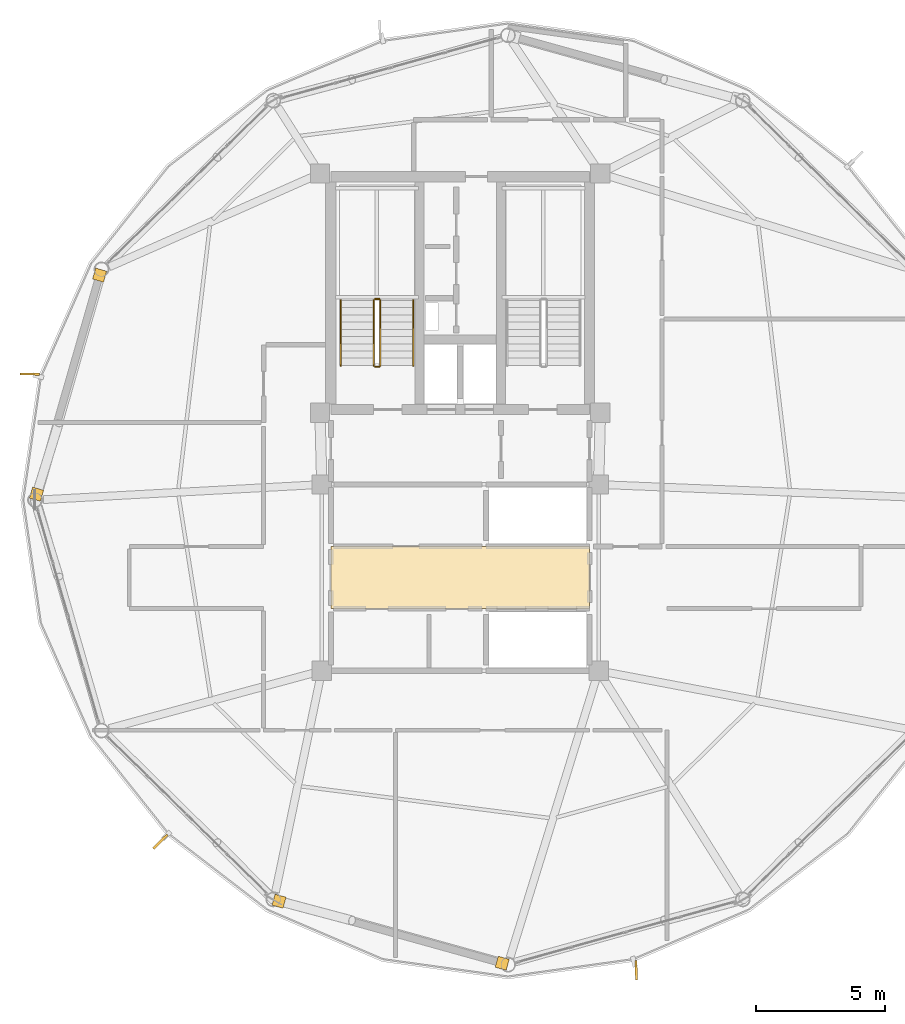
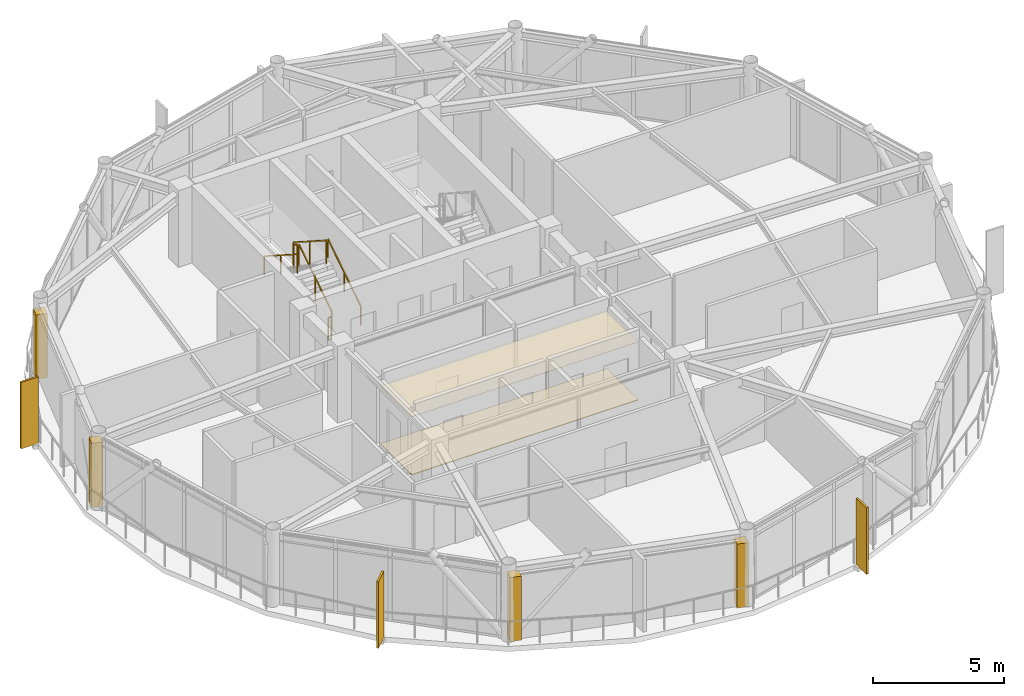
# One storey, part 23 of 25: 6 coverings, 6 railings, 3 shading devices.
"""IFC4 building model written with IfcOpenShell, lengths in metres."""

from ifc_helpers import new_model, si_unit, direction, frame, origin, origin_2d, place, context, subcontext, project, spatial, polyline, rectangle, outline, extrude, source, transform, mapped, material, layer, layer_set, type_object, type_shapes, element, save


model = new_model("IFC4")

# Units and contexts
model_context = context("Model", 3, precision=1e-05, world=origin(), true_north=direction((0.0, 1.0)))
body_context = subcontext(model_context, "Body", "Model", "MODEL_VIEW")
ifc_project = project(units=[si_unit("LENGTHUNIT", "METRE"), si_unit("AREAUNIT", "SQUARE_METRE"), si_unit("VOLUMEUNIT", "CUBIC_METRE"), si_unit("PLANEANGLEUNIT", "RADIAN"), si_unit("MASSUNIT", "GRAM", prefix="KILO")], contexts=[model_context])

# Site, building, storey
site_placement = place(None, origin())
site = spatial("IfcSite", under=ifc_project, at=site_placement, CompositionType="ELEMENT")
building_placement = place(site_placement, origin())
building = spatial("IfcBuilding", under=site, at=building_placement, Name="Varnakorn Sky Granary", CompositionType="ELEMENT")
storey_placement = place(building_placement, frame((0.0, 0.0, 259.800048828125)))
storey = spatial("IfcBuildingStorey", under=building, at=storey_placement, Name="L66", CompositionType="ELEMENT", Elevation=259.800048828125)

# Coverings
ifc_material_1 = material(Name="Perforated Acoustic Mineral-Fibre Ceiling", Category="gypsum")
ifc_layer_1 = layer(ifc_material_1, 0.02001953125, Name="Perforated Acoustic Mineral-Fibre Ceiling")
ifc_layer_set_1 = layer_set([ifc_layer_1], Name="Perforated Acoustic Mineral-Fibre Ceiling")
covering_type_1 = type_object("IfcCoveringType", Name="CV-CEIL-20", PredefinedType="CEILING", material=ifc_layer_set_1)
covering_1_placement = place(storey_placement, frame((0.0, 0.0, 2.7099609375)))
element("IfcCovering", 1, at=covering_1_placement, inside=storey, type_object=covering_type_1, Name="Lift Lobby Perforated Acoustic Ceiling L66", PredefinedType="CEILING", context=body_context, shape_type="SweptSolid", body=[
    extrude(outline(polyline([(-2.0, -4.199951171875), (8.0, -4.199951171875), (8.0, -1.800048828125), (-2.0, -1.800048828125), (-2.0, -4.199951171875)])), origin(), (0.0, 0.0, 1.0), 0.02001953125),
])
ifc_material_2 = material(Name="Honed Epoxy Terrazzo Topping", Category="concrete")
ifc_layer_2 = layer(ifc_material_2, 0.030029296875, Name="Honed Epoxy Terrazzo Topping")
ifc_layer_set_2 = layer_set([ifc_layer_2], Name="Honed Epoxy Terrazzo Topping")
covering_type_2 = type_object("IfcCoveringType", Name="CV-FLOR-30", PredefinedType="FLOORING", material=ifc_layer_set_2)
covering_2_placement = place(storey_placement, origin())
element("IfcCovering", 2, at=covering_2_placement, inside=storey, type_object=covering_type_2, Name="Lift Lobby Terrazzo Floor Finish L66", PredefinedType="FLOORING", context=body_context, shape_type="SweptSolid", body=[
    extrude(outline(polyline([(-2.0, -4.199951171875), (8.0, -4.199951171875), (8.0, -1.800048828125), (-2.0, -1.800048828125), (-2.0, -4.199951171875)])), origin(), (0.0, 0.0, 1.0), 0.030029296875),
])

# Railings
ifc_material_3 = material(Name="Brushed Stainless Steel 316", Category="steel")
railing_type_1 = type_object("IfcRailingType", Name="RL-STAIR-1100", PredefinedType="GUARDRAIL", material=ifc_material_3)
railing_1_placement = place(storey_placement, frame((-0.090087890625, 5.199951171875, 0.179931640625)))
element("IfcRailing", 3, at=railing_1_placement, inside=storey, type_object=railing_type_1, Name="L66 ST-1 stair guard 1", PredefinedType="GUARDRAIL", context=body_context, shape_type="SweptSolid", body=[
    extrude(rectangle(XDim=0.048095703125, YDim=0.048095703125, at=origin_2d()), frame((0.0, 0.0, 1.076171875), z_axis=(0.0, 0.841162588446, 0.540782303519), x_axis=(-1.0, 0.0, 0.0)), (0.0, 0.0, 1.0), 2.995849609375),
    extrude(rectangle(XDim=0.0419921875, YDim=0.0419921875, at=origin_2d()), origin(), (0.0, 0.0, 1.0), 1.048095703125),
    extrude(rectangle(XDim=0.0419921875, YDim=0.0419921875, at=origin_2d()), frame((0.0, 1.260009765625, 0.81005859375)), (0.0, 0.0, 1.0), 1.048095703125),
    extrude(rectangle(XDim=0.0419921875, YDim=0.0419921875, at=origin_2d()), frame((0.0, 2.52001953125, 1.6201171875)), (0.0, 0.0, 1.0), 1.048095703125),
])
railing_2_placement = place(storey_placement, frame((-0.139892578125, 7.77001953125, 1.800048828125)))
element("IfcRailing", 4, at=railing_2_placement, inside=storey, type_object=railing_type_1, Name="L66 ST-1 stair guard 2", PredefinedType="GUARDRAIL", context=body_context, shape_type="SweptSolid", body=[
    extrude(rectangle(XDim=0.048095703125, YDim=0.048095703125, at=origin_2d()), frame((0.0, 0.0, 1.076171875), z_axis=(-1.0, 0.0, 0.0), x_axis=(0.0, -1.0, 0.0)), (0.0, 0.0, 1.0), 0.150146484375),
    extrude(rectangle(XDim=0.0419921875, YDim=0.0419921875, at=origin_2d()), origin(), (0.0, 0.0, 1.0), 1.048095703125),
    extrude(rectangle(XDim=0.0419921875, YDim=0.0419921875, at=origin_2d()), frame((-0.150146484375, 0.0, 0.0)), (0.0, 0.0, 1.0), 1.048095703125),
])
railing_3_placement = place(storey_placement, frame((-0.340087890625, 7.719970703125, 1.97998046875)))
element("IfcRailing", 5, at=railing_3_placement, inside=storey, type_object=railing_type_1, Name="L66 ST-1 stair guard 3", PredefinedType="GUARDRAIL", context=body_context, shape_type="SweptSolid", body=[
    extrude(rectangle(XDim=0.048095703125, YDim=0.048095703125, at=origin_2d()), frame((0.0, 0.0, 1.076171875), z_axis=(0.0, -0.841199657755, 0.540724639528), x_axis=(1.0, 0.0, 0.0)), (0.0, 0.0, 1.0), 2.995849609375),
    extrude(rectangle(XDim=0.0419921875, YDim=0.0419921875, at=origin_2d()), origin(), (0.0, 0.0, 1.0), 1.048095703125),
    extrude(rectangle(XDim=0.0419921875, YDim=0.0419921875, at=origin_2d()), frame((0.0, -1.260009765625, 0.81005859375)), (0.0, 0.0, 1.0), 1.048095703125),
    extrude(rectangle(XDim=0.0419921875, YDim=0.0419921875, at=origin_2d()), frame((0.0, -2.52001953125, 1.619873046875)), (0.0, 0.0, 1.0), 1.048095703125),
])
railing_4_placement = place(storey_placement, frame((-0.139892578125, 5.14990234375, 0.0)))
element("IfcRailing", 6, at=railing_4_placement, inside=storey, type_object=railing_type_1, Name="L66 ST-1 stair guard 4", PredefinedType="GUARDRAIL", context=body_context, shape_type="SweptSolid", body=[
    extrude(rectangle(XDim=0.048095703125, YDim=0.048095703125, at=origin_2d()), frame((0.0, 0.0, 1.076171875), z_axis=(-1.0, 0.0, 0.0), x_axis=(0.0, -1.0, 0.0)), (0.0, 0.0, 1.0), 0.150146484375),
    extrude(rectangle(XDim=0.0419921875, YDim=0.0419921875, at=origin_2d()), origin(), (0.0, 0.0, 1.0), 1.048095703125),
    extrude(rectangle(XDim=0.0419921875, YDim=0.0419921875, at=origin_2d()), frame((-0.150146484375, 0.0, 0.0)), (0.0, 0.0, 1.0), 1.048095703125),
])
railing_type_2 = type_object("IfcRailingType", Name="RL-STAIR-920", PredefinedType="HANDRAIL", material=ifc_material_3)
railing_5_placement = place(storey_placement, frame((1.18994140625, 5.199951171875, 0.179931640625)))
element("IfcRailing", 7, at=railing_5_placement, inside=storey, type_object=railing_type_2, Name="L66 ST-1 stair handrail 1", PredefinedType="HANDRAIL", context=body_context, shape_type="SweptSolid", body=[
    extrude(rectangle(XDim=0.048095703125, YDim=0.048095703125, at=origin_2d()), frame((0.0, 0.0, 0.8759765625), z_axis=(0.0, 0.841162588446, 0.540782303519), x_axis=(-1.0, 0.0, 0.0)), (0.0, 0.0, 1.0), 2.995849609375),
    extrude(rectangle(XDim=0.0419921875, YDim=0.0419921875, at=origin_2d()), origin(), (0.0, 0.0, 1.0), 0.847900390625),
    extrude(rectangle(XDim=0.0419921875, YDim=0.0419921875, at=origin_2d()), frame((0.0, 1.260009765625, 0.81005859375)), (0.0, 0.0, 1.0), 0.847900390625),
    extrude(rectangle(XDim=0.0419921875, YDim=0.0419921875, at=origin_2d()), frame((0.0, 2.52001953125, 1.6201171875)), (0.0, 0.0, 1.0), 0.847900390625),
])
railing_6_placement = place(storey_placement, frame((-1.6201171875, 7.719970703125, 1.97998046875)))
element("IfcRailing", 8, at=railing_6_placement, inside=storey, type_object=railing_type_2, Name="L66 ST-1 stair handrail 2", PredefinedType="HANDRAIL", context=body_context, shape_type="SweptSolid", body=[
    extrude(rectangle(XDim=0.048095703125, YDim=0.048095703125, at=origin_2d()), frame((0.0, 0.0, 0.8759765625), z_axis=(0.0, -0.841199657755, 0.540724639528), x_axis=(1.0, 0.0, 0.0)), (0.0, 0.0, 1.0), 2.995849609375),
    extrude(rectangle(XDim=0.0419921875, YDim=0.0419921875, at=origin_2d()), origin(), (0.0, 0.0, 1.0), 0.847900390625),
    extrude(rectangle(XDim=0.0419921875, YDim=0.0419921875, at=origin_2d()), frame((0.0, -1.260009765625, 0.81005859375)), (0.0, 0.0, 1.0), 0.847900390625),
    extrude(rectangle(XDim=0.0419921875, YDim=0.0419921875, at=origin_2d()), frame((0.0, -2.52001953125, 1.619873046875)), (0.0, 0.0, 1.0), 0.847900390625),
])

# Coverings
ifc_material_4 = material(Name="Anodised Bronze Aluminium Alloy 6063-T6", Category="aluminium")
ifc_layer_3 = layer(ifc_material_4, 0.050048828125, Name="Anodised Bronze Aluminium Alloy 6063-T6")
ifc_layer_set_3 = layer_set([ifc_layer_3], Name="Anodised Bronze Aluminium Alloy 6063-T6")
covering_type_3 = type_object("IfcCoveringType", Name="CV-CLAD-50", PredefinedType="CLADDING", material=ifc_layer_set_3)
shared_shape_1 = source(origin(), body_context, "Body", "SweptSolid", [
    extrude(rectangle(XDim=0.43994140625, YDim=0.43994140625, at=origin_2d()), origin(), (0.0, 0.0, 1.0), 2.989990234375),
])
type_shapes(covering_type_3, [shared_shape_1])
for number, where, z_axis, x_axis, name in (
    (9, (-13.377197265625, 0.225341796875, -0.02001953125), (0.0, 0.0, 1.0), (0.276643835392, 0.960972522156, 0.0), "Bronze Corner Pilaster Closure L66-P06-A"),
    (10, (-10.939208984375, 8.692626953125, -0.02001953125), (0.0, 0.0, 1.0), (0.276643835392, 0.960972522156, 0.0), "Bronze Corner Pilaster Closure L66-P06-B"),
    (11, (4.6240234375, -17.908203125, -0.02001953125), (0.0, 0.0, 1.0), (-0.963443650811, 0.267911051866, 0.0), "Bronze Corner Pilaster Closure L66-P09-A"),
    (12, (-4.002685546875, -15.50927734375, -0.02001953125), (0.0, 0.0, 1.0), (-0.963443650811, 0.267911051866, 0.0), "Bronze Corner Pilaster Closure L66-P09-B"),
):
    element("IfcCovering", number, at=place(storey_placement, frame(where, z_axis=z_axis, x_axis=x_axis)), inside=storey, type_object=covering_type_3, Name=name, PredefinedType="CLADDING", context=body_context, shape_type="MappedRepresentation", body=[
        mapped(shared_shape_1, transform((0.0, 0.0, 0.0), x_axis=(1.0, 0.0, 0.0), y_axis=(0.0, 1.0, 0.0), z_axis=(0.0, 0.0, 1.0), scale=1.0)),
    ])

# Shading devices
shading_device_type = type_object("IfcShadingDeviceType", Name="SH-FIN-03", PredefinedType="USERDEFINED", material=ifc_material_4)
shared_shape_2 = source(origin(), body_context, "Body", "SweptSolid", [
    extrude(rectangle(XDim=0.0849609375, YDim=0.760009765625, at=origin_2d()), origin(), (0.0, 0.0, 1.0), 3.10009765625),
])
type_shapes(shading_device_type, [shared_shape_2])
for number, where, z_axis, x_axis, name in (
    (13, (-13.635498046875, 4.867919921875, -0.0400390625), (0.0, 0.0, 1.0), (-0.0144661353, -0.99989535999, 0.0), "Bronze Solar-Tracking Vertical Blade FIN L66-06"),
    (14, (-8.58935546875, -13.20654296875, -0.0400390625), (0.0, 0.0, 1.0), (0.704375339137, -0.709827712629, 0.0), "Bronze Solar-Tracking Vertical Blade FIN L66-08"),
    (15, (9.804931640625, -18.17431640625, -0.0400390625), (0.0, 0.0, 1.0), (0.9996734139, 0.025555147074, 0.0), "Bronze Solar-Tracking Vertical Blade FIN L66-10"),
):
    element("IfcShadingDevice", number, at=place(storey_placement, frame(where, z_axis=z_axis, x_axis=x_axis)), inside=storey, type_object=shading_device_type, Name=name, ObjectType="FIN", PredefinedType="USERDEFINED", context=body_context, shape_type="MappedRepresentation", body=[
        mapped(shared_shape_2, transform((0.0, 0.0, 0.0), x_axis=(1.0, 0.0, 0.0), y_axis=(0.0, 1.0, 0.0), z_axis=(0.0, 0.0, 1.0), scale=1.0)),
    ])

save(model, "model.ifc")
